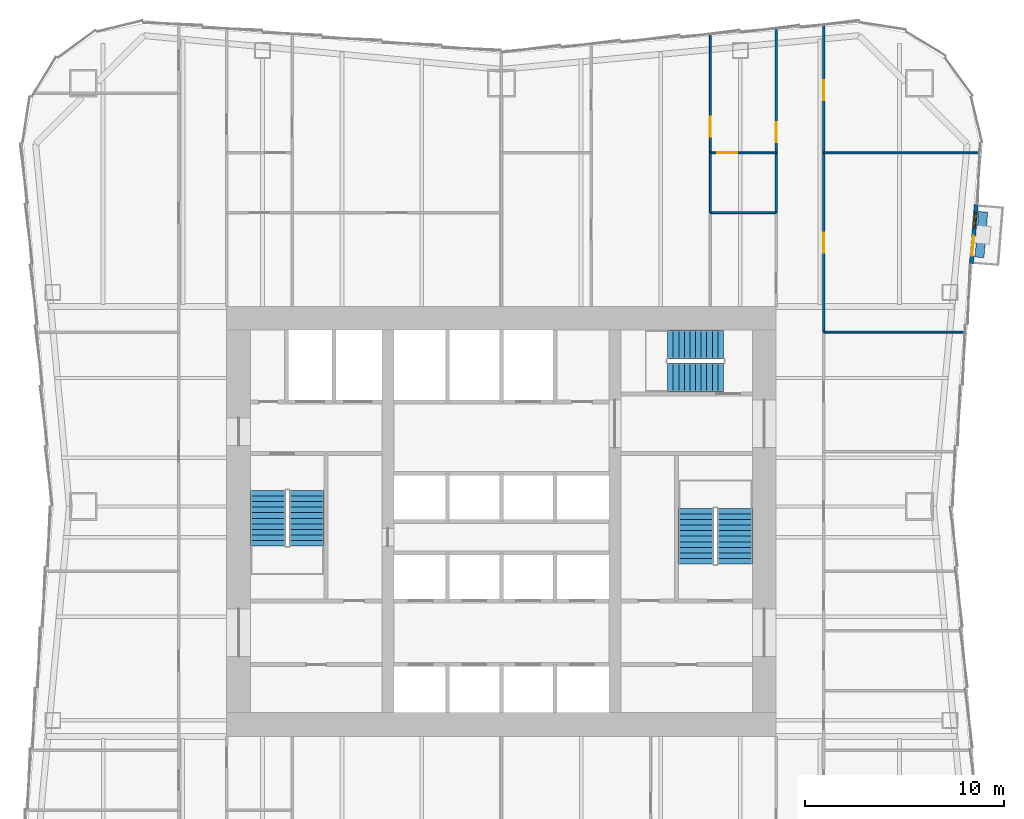
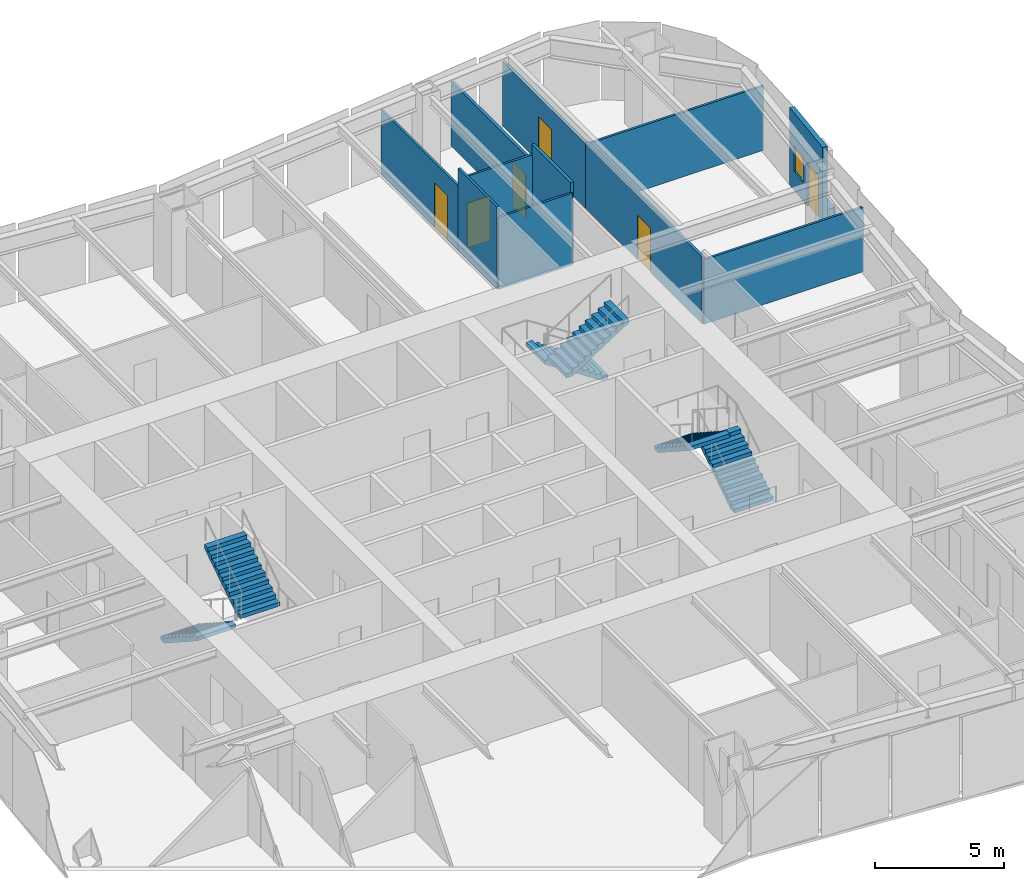
# One storey, part 7 of 9: 12 walls, 6 doors, 6 stair flights, 1 window, 7 openings, 3 elements without a shape of their own.
"""IFC4 building model written with IfcOpenShell, lengths in metres."""

from ifc_helpers import new_model, si_unit, direction, frame, frame_2d, origin, place, context, subcontext, project, spatial, polyline, rectangle, outline, extrude, material, layer, layer_set, type_object, element, fill, aggregate, save


model = new_model("IFC4")

# Units and contexts
model_context = context("Model", 3, precision=1e-05, world=origin(), true_north=direction((0.0, 1.0)))
body_context = subcontext(model_context, "Body", "Model", "MODEL_VIEW")
ifc_project = project(units=[si_unit("LENGTHUNIT", "METRE"), si_unit("AREAUNIT", "SQUARE_METRE"), si_unit("VOLUMEUNIT", "CUBIC_METRE"), si_unit("PLANEANGLEUNIT", "RADIAN"), si_unit("MASSUNIT", "GRAM", prefix="KILO")], contexts=[model_context])

# Site, building, storey
site_placement = place(None, origin())
site = spatial("IfcSite", under=ifc_project, at=site_placement, CompositionType="ELEMENT")
building_placement = place(site_placement, origin())
building = spatial("IfcBuilding", under=site, at=building_placement, Name="Verdant Reach Tower", CompositionType="ELEMENT")
storey_placement = place(building_placement, frame((0.0, 0.0, 86.0)))
storey = spatial("IfcBuildingStorey", under=building, at=storey_placement, Name="L19", CompositionType="ELEMENT", Elevation=86.0)

# Wall, openings, door, window
ifc_material_1 = material(Name="Insulated bronze aluminium panel wall", Category="aluminium")
ifc_layer_1 = layer(ifc_material_1, 0.219970703125)
ifc_layer_set_1 = layer_set([ifc_layer_1], Name="EN-INFILL WALL")
wall_type_1 = type_object("IfcWallType", Name="EN-INFILL WALL", PredefinedType="SOLIDWALL", material=ifc_layer_set_1)
wall_1_placement = place(storey_placement, frame((23.605224609375, 40.939208984375, 0.0), z_axis=(0.0, 0.0, 1.0), x_axis=(0.081903334605, 0.996640278024, 0.0)))
wall_1 = element("IfcWall", 1, at=wall_1_placement, inside=storey, type_object=wall_type_1, Name="External infill wall, balcony bay 1, L19", PredefinedType="SOLIDWALL", context=body_context, shape_type="SweptSolid", body=[
    extrude(rectangle(XDim=2.98974609375, YDim=0.2060546875, at=frame_2d((1.494873046875, 0.0))), origin(), (0.0, 0.0, 1.0), 3.64990234375),
])
opening_1_placement = place(wall_1_placement, frame((0.396484375, 0.0, 0.0)))
opening_1 = element("IfcOpeningElement", 2, at=opening_1_placement, cuts=wall_1, Name="Opening BD1", PredefinedType="OPENING", context=body_context, shape_type="SweptSolid", body=[
    extrude(rectangle(XDim=1.0, YDim=2.10009765625, at=frame_2d((0.5, 1.050048828125))), frame((0.0, 0.113037109375, 0.0), z_axis=(0.0, -1.0, 0.0), x_axis=(1.0, 0.0, 0.0)), (0.0, 0.0, 1.0), 0.22607421875),
])
opening_2_placement = place(wall_1_placement, frame((1.793212890625, 0.0, 0.89990234375)))
opening_2 = element("IfcOpeningElement", 3, at=opening_2_placement, cuts=wall_1, Name="Opening BW1", PredefinedType="OPENING", context=body_context, shape_type="SweptSolid", body=[
    extrude(rectangle(XDim=0.800048828125, YDim=1.199951171875, at=frame_2d((0.39990234375, 0.60009765625))), frame((0.0, 0.113037109375, 0.0), z_axis=(0.0, -1.0, 0.0), x_axis=(1.0, 0.0, 0.0)), (0.0, 0.0, 1.0), 0.22607421875),
])
ifc_material_2 = material(Name="Aluminium framed glazed door", Category="aluminium")
door_type_1 = type_object("IfcDoorType", Name="EN-DOOR BALCONY", OperationType="NOTDEFINED", PredefinedType="DOOR", material=ifc_material_2)
door_1_placement = place(opening_1_placement, origin())
door_1 = element("IfcDoor", 4, at=door_1_placement, inside=storey, type_object=door_type_1, Name="Balcony door 1, L19", OperationType="SINGLE_SWING_LEFT", OverallHeight=2.10009765625, OverallWidth=1.0, PredefinedType="DOOR", context=body_context, shape_type="SweptSolid", body=[
    extrude(rectangle(XDim=1.0, YDim=2.10009765625, at=frame_2d((0.5, 1.050048828125))), frame((0.0, 0.02490234375, 0.0), z_axis=(0.0, -1.0, 0.0), x_axis=(1.0, 0.0, 0.0)), (0.0, 0.0, 1.0), 0.050048828125),
])
fill(opening_1, door_1)
ifc_material_3 = material(Name="Aluminium framed glazing", Category="aluminium")
window_type = type_object("IfcWindowType", Name="EN-WINDOW BALCONY", PartitioningType="SINGLE_PANEL", PredefinedType="WINDOW", material=ifc_material_3)
window_placement = place(opening_2_placement, origin())
window = element("IfcWindow", 5, at=window_placement, inside=storey, type_object=window_type, Name="Balcony window 1, L19", OverallHeight=1.199951171875, OverallWidth=0.800048828125, PartitioningType="SINGLE_PANEL", PredefinedType="WINDOW", context=body_context, shape_type="SweptSolid", body=[
    extrude(rectangle(XDim=0.800048828125, YDim=1.199951171875, at=frame_2d((0.39990234375, 0.60009765625))), frame((0.0, 0.030029296875, 0.0), z_axis=(0.0, -1.0, 0.0), x_axis=(1.0, 0.0, 0.0)), (0.0, 0.0, 1.0), 0.06005859375),
])
fill(opening_2, window)

# Walls
ifc_material_4 = material(Name="Precast concrete C30/37", Category="concrete")
ifc_layer_2 = layer(ifc_material_4, 0.449951171875)
ifc_layer_set_2 = layer_set([ifc_layer_2], Name="EN-PLANTER")
wall_type_2 = type_object("IfcWallType", Name="EN-PLANTER", PredefinedType="USERDEFINED", material=ifc_layer_set_2)
wall_2_placement = place(storey_placement, frame((24.010498046875, 41.257080078125, 0.0), z_axis=(0.0, 0.0, 1.0), x_axis=(0.081986639556, 0.996633428566, 0.0)))
element("IfcWall", 6, at=wall_2_placement, inside=storey, type_object=wall_type_2, Name="Balcony planter 1, L19", ObjectType="PLANTER", PredefinedType="USERDEFINED", context=body_context, shape_type="SweptSolid", body=[
    extrude(rectangle(XDim=2.2900390625, YDim=0.449951171875, at=frame_2d((1.14501953125, 0.0))), origin(), (0.0, 0.0, 1.0), 0.39990234375),
])
ifc_material_5 = material(Name="Gypsum board on steel studs", Category="steel")
ifc_layer_3 = layer(ifc_material_5, 0.10009765625)
ifc_layer_set_3 = layer_set([ifc_layer_3], Name="FL-W1 Partition 100")
wall_type_3 = type_object("IfcWallType", Name="FL-W1 Partition 100", PredefinedType="PARTITIONING", material=ifc_layer_set_3)
wall_3_placement = place(storey_placement, frame((23.29931640625, 37.5, 0.0), z_axis=(0.0, 0.0, 1.0), x_axis=(-1.0, 0.0, 0.0)))
element("IfcWall", 7, at=wall_3_placement, inside=storey, type_object=wall_type_3, Name="Partition 19.39", PredefinedType="PARTITIONING", context=body_context, shape_type="SweptSolid", body=[
    extrude(rectangle(XDim=7.099365234375, YDim=0.10009765625, at=frame_2d((3.5498046875, 0.0))), origin(), (0.0, 0.0, 1.0), 3.0400390625),
])
wall_4_placement = place(storey_placement, frame((24.038818359375, 46.5, 0.0), z_axis=(0.0, 0.0, 1.0), x_axis=(-1.0, 0.0, 0.0)))
element("IfcWall", 8, at=wall_4_placement, inside=storey, type_object=wall_type_3, Name="Partition 19.40", PredefinedType="PARTITIONING", context=body_context, shape_type="SweptSolid", body=[
    extrude(rectangle(XDim=7.8388671875, YDim=0.10009765625, at=frame_2d((3.91943359375, 0.0))), origin(), (0.0, 0.0, 1.0), 3.0400390625),
])
wall_5_placement = place(storey_placement, frame((13.800048828125, 43.5, 0.0), z_axis=(0.0, 0.0, 1.0), x_axis=(-1.0, 0.0, 0.0)))
element("IfcWall", 9, at=wall_5_placement, inside=storey, type_object=wall_type_3, Name="Partition 19.65", PredefinedType="PARTITIONING", context=body_context, shape_type="SweptSolid", body=[
    extrude(rectangle(XDim=3.300048828125, YDim=0.10009765625, at=frame_2d((1.64990234375, 0.0))), origin(), (0.0, 0.0, 1.0), 3.389892578125),
])

# Wall, opening, door
wall_6_placement = place(storey_placement, frame((13.800048828125, 46.5, 0.0), z_axis=(0.0, 0.0, 1.0), x_axis=(-1.0, 0.0, 0.0)))
wall_6 = element("IfcWall", 10, at=wall_6_placement, inside=storey, type_object=wall_type_3, Name="Partition 19.67", PredefinedType="PARTITIONING", context=body_context, shape_type="SweptSolid", body=[
    extrude(rectangle(XDim=3.300048828125, YDim=0.10009765625, at=frame_2d((1.64990234375, 0.0))), origin(), (0.0, 0.0, 1.0), 3.389892578125),
])
opening_3_placement = place(wall_6_placement, frame((1.949951171875, 0.0, 0.0)))
opening_3 = element("IfcOpeningElement", 11, at=opening_3_placement, cuts=wall_6, Name="Opening D3", PredefinedType="OPENING", context=body_context, shape_type="SweptSolid", body=[
    extrude(rectangle(XDim=1.0, YDim=2.10009765625, at=frame_2d((0.5, 1.050048828125))), frame((0.0, 0.06005859375, 0.0), z_axis=(0.0, -1.0, 0.0), x_axis=(1.0, 0.0, 0.0)), (0.0, 0.0, 1.0), 0.1201171875),
])
ifc_material_6 = material(Name="Painted timber door leaf", Category="wood")
door_type_2 = type_object("IfcDoorType", Name="FL-D3 Door 1000x2100", OperationType="NOTDEFINED", PredefinedType="DOOR", material=ifc_material_6)
door_2_placement = place(opening_3_placement, origin())
door_2 = element("IfcDoor", 12, at=door_2_placement, inside=storey, type_object=door_type_2, Name="Door 19-033", OperationType="SINGLE_SWING_RIGHT", OverallHeight=2.10009765625, OverallWidth=1.0, PredefinedType="DOOR", context=body_context, shape_type="SweptSolid", body=[
    extrude(rectangle(XDim=1.0, YDim=2.10009765625, at=frame_2d((0.5, 1.050048828125))), frame((0.0, 0.02490234375, 0.0), z_axis=(0.0, -1.0, 0.0), x_axis=(1.0, 0.0, 0.0)), (0.0, 0.0, 1.0), 0.050048828125),
])
fill(opening_3, door_2)

# Wall
wall_7_placement = place(storey_placement, frame((10.5, 46.50390625, 0.0), z_axis=(0.0, 0.0, 1.0), x_axis=(0.0, -1.0, 0.0)))
element("IfcWall", 13, at=wall_7_placement, inside=storey, type_object=wall_type_3, Name="Partition 19.68", PredefinedType="PARTITIONING", context=body_context, shape_type="SweptSolid", body=[
    extrude(rectangle(XDim=3.0078125, YDim=0.10009765625, at=frame_2d((1.50390625, 0.0))), origin(), (0.0, 0.0, 1.0), 3.8701171875),
])

# Wall, opening, door
wall_8_placement = place(storey_placement, frame((10.5, 46.49609375, 0.0), z_axis=(0.0, 0.0, 1.0), x_axis=(0.0, 1.0, 0.0)))
wall_8 = element("IfcWall", 14, at=wall_8_placement, inside=storey, type_object=wall_type_3, Name="Partition 19.69", PredefinedType="PARTITIONING", context=body_context, shape_type="SweptSolid", body=[
    extrude(rectangle(XDim=5.958984375, YDim=0.10009765625, at=frame_2d((2.9794921875, 0.0))), origin(), (0.0, 0.0, 1.0), 3.0400390625),
])
opening_4_placement = place(wall_8_placement, frame((0.814453125, 0.0, 0.0)))
opening_4 = element("IfcOpeningElement", 15, at=opening_4_placement, cuts=wall_8, Name="Opening D3", PredefinedType="OPENING", context=body_context, shape_type="SweptSolid", body=[
    extrude(rectangle(XDim=1.0, YDim=2.10009765625, at=frame_2d((0.5, 1.050048828125))), frame((0.0, 0.06005859375, 0.0), z_axis=(0.0, -1.0, 0.0), x_axis=(1.0, 0.0, 0.0)), (0.0, 0.0, 1.0), 0.1201171875),
])
door_3_placement = place(opening_4_placement, origin())
door_3 = element("IfcDoor", 16, at=door_3_placement, inside=storey, type_object=door_type_2, Name="Door 19-034", OperationType="SINGLE_SWING_LEFT", OverallHeight=2.10009765625, OverallWidth=1.0, PredefinedType="DOOR", context=body_context, shape_type="SweptSolid", body=[
    extrude(rectangle(XDim=1.0, YDim=2.10009765625, at=frame_2d((0.5, 1.050048828125))), frame((0.0, 0.02490234375, 0.0), z_axis=(0.0, -1.0, 0.0), x_axis=(1.0, 0.0, 0.0)), (0.0, 0.0, 1.0), 0.050048828125),
])
fill(opening_4, door_3)

ifc_material_7 = material(Name="Gypsum board on steel studs, fire rated", Category="steel")
ifc_layer_4 = layer(ifc_material_7, 0.125)
ifc_layer_set_4 = layer_set([ifc_layer_4], Name="FL-W2 Corridor wall 125")
wall_type_4 = type_object("IfcWallType", Name="FL-W2 Corridor wall 125", PredefinedType="PARTITIONING", material=ifc_layer_set_4)
wall_9_placement = place(storey_placement, frame((16.199951171875, 46.5, 0.0), z_axis=(0.0, 0.0, 1.0), x_axis=(0.0, -1.0, 0.0)))
wall_9 = element("IfcWall", 17, at=wall_9_placement, inside=storey, type_object=wall_type_4, Name="Partition 19.20", PredefinedType="PARTITIONING", context=body_context, shape_type="SweptSolid", body=[
    extrude(rectangle(XDim=9.0, YDim=0.125, at=frame_2d((4.5, 0.0))), origin(), (0.0, 0.0, 1.0), 3.139892578125),
])
opening_5_placement = place(wall_9_placement, frame((4.0, 0.0, 0.0)))
opening_5 = element("IfcOpeningElement", 18, at=opening_5_placement, cuts=wall_9, Name="Opening D2", PredefinedType="OPENING", context=body_context, shape_type="SweptSolid", body=[
    extrude(rectangle(XDim=1.0, YDim=2.10009765625, at=frame_2d((0.5, 1.050048828125))), frame((0.0, 0.072509765625, 0.0), z_axis=(0.0, -1.0, 0.0), x_axis=(1.0, 0.0, 0.0)), (0.0, 0.0, 1.0), 0.14501953125),
])
ifc_material_8 = material(Name="Timber door leaf, fire rated", Category="wood")
door_type_3 = type_object("IfcDoorType", Name="FL-D2 Entrance door 1000x2100 FD30", OperationType="NOTDEFINED", PredefinedType="DOOR", material=ifc_material_8)
door_4_placement = place(opening_5_placement, origin())
door_4 = element("IfcDoor", 19, at=door_4_placement, inside=storey, type_object=door_type_3, Name="Door 19-017", OperationType="SINGLE_SWING_LEFT", OverallHeight=2.10009765625, OverallWidth=1.0, PredefinedType="DOOR", context=body_context, shape_type="SweptSolid", body=[
    extrude(rectangle(XDim=1.0, YDim=2.10009765625, at=frame_2d((0.5, 1.050048828125))), frame((0.0, 0.02490234375, 0.0), z_axis=(0.0, -1.0, 0.0), x_axis=(1.0, 0.0, 0.0)), (0.0, 0.0, 1.0), 0.050048828125),
])
fill(opening_5, door_4)

wall_10_placement = place(storey_placement, frame((16.199951171875, 52.929931640625, 0.0), z_axis=(0.0, 0.0, 1.0), x_axis=(0.0, -1.0, 0.0)))
wall_10 = element("IfcWall", 20, at=wall_10_placement, inside=storey, type_object=wall_type_4, Name="Partition 19.21", PredefinedType="PARTITIONING", context=body_context, shape_type="SweptSolid", body=[
    extrude(rectangle(XDim=6.429931640625, YDim=0.125, at=frame_2d((3.21484375, 0.0))), origin(), (0.0, 0.0, 1.0), 3.0400390625),
])
opening_6_placement = place(wall_10_placement, frame((2.780029296875, 0.0, 0.0)))
opening_6 = element("IfcOpeningElement", 21, at=opening_6_placement, cuts=wall_10, Name="Opening D2", PredefinedType="OPENING", context=body_context, shape_type="SweptSolid", body=[
    extrude(rectangle(XDim=1.0, YDim=2.10009765625, at=frame_2d((0.5, 1.050048828125))), frame((0.0, 0.072509765625, 0.0), z_axis=(0.0, -1.0, 0.0), x_axis=(1.0, 0.0, 0.0)), (0.0, 0.0, 1.0), 0.14501953125),
])
door_5_placement = place(opening_6_placement, origin())
door_5 = element("IfcDoor", 22, at=door_5_placement, inside=storey, type_object=door_type_3, Name="Door 19-018", OperationType="SINGLE_SWING_RIGHT", OverallHeight=2.10009765625, OverallWidth=1.0, PredefinedType="DOOR", context=body_context, shape_type="SweptSolid", body=[
    extrude(rectangle(XDim=1.0, YDim=2.10009765625, at=frame_2d((0.5, 1.050048828125))), frame((0.0, 0.02490234375, 0.0), z_axis=(0.0, -1.0, 0.0), x_axis=(1.0, 0.0, 0.0)), (0.0, 0.0, 1.0), 0.050048828125),
])
fill(opening_6, door_5)

# Wall
wall_11_placement = place(storey_placement, frame((13.800048828125, 46.5, 0.0), z_axis=(0.0, 0.0, 1.0), x_axis=(0.0, -1.0, 0.0)))
element("IfcWall", 23, at=wall_11_placement, inside=storey, type_object=wall_type_4, Name="Partition 19.26", PredefinedType="PARTITIONING", context=body_context, shape_type="SweptSolid", body=[
    extrude(rectangle(XDim=3.0, YDim=0.125, at=frame_2d((1.5, 0.0))), origin(), (0.0, 0.0, 1.0), 3.8701171875),
])

# Wall, opening, door
wall_12_placement = place(storey_placement, frame((13.800048828125, 46.5, 0.0), z_axis=(0.0, 0.0, 1.0), x_axis=(0.0, 1.0, 0.0)))
wall_12 = element("IfcWall", 24, at=wall_12_placement, inside=storey, type_object=wall_type_4, Name="Partition 19.27", PredefinedType="PARTITIONING", context=body_context, shape_type="SweptSolid", body=[
    extrude(rectangle(XDim=6.22998046875, YDim=0.125, at=frame_2d((3.114990234375, 0.0))), origin(), (0.0, 0.0, 1.0), 3.0400390625),
])
opening_7_placement = place(wall_12_placement, frame((0.5498046875, 0.0, 0.0)))
opening_7 = element("IfcOpeningElement", 25, at=opening_7_placement, cuts=wall_12, Name="Opening D2", PredefinedType="OPENING", context=body_context, shape_type="SweptSolid", body=[
    extrude(rectangle(XDim=1.0, YDim=2.10009765625, at=frame_2d((0.5, 1.050048828125))), frame((0.0, 0.072509765625, 0.0), z_axis=(0.0, -1.0, 0.0), x_axis=(1.0, 0.0, 0.0)), (0.0, 0.0, 1.0), 0.14501953125),
])
door_6_placement = place(opening_7_placement, origin())
door_6 = element("IfcDoor", 26, at=door_6_placement, inside=storey, type_object=door_type_3, Name="Door 19-022", OperationType="SINGLE_SWING_LEFT", OverallHeight=2.10009765625, OverallWidth=1.0, PredefinedType="DOOR", context=body_context, shape_type="SweptSolid", body=[
    extrude(rectangle(XDim=1.0, YDim=2.10009765625, at=frame_2d((0.5, 1.050048828125))), frame((0.0, 0.02490234375, 0.0), z_axis=(0.0, -1.0, 0.0), x_axis=(1.0, 0.0, 0.0)), (0.0, 0.0, 1.0), 0.050048828125),
])
fill(opening_7, door_6)

# Stair, stair flights
ifc_material_9 = material(Name="Concrete C40/50", Category="concrete")
stair_type = type_object("IfcStairType", Name="CO-STAIR", PredefinedType="HALF_TURN_STAIR", material=ifc_material_9)
stair_1_placement = place(storey_placement, origin())
stair_1 = element("IfcStair", 27, at=stair_1_placement, inside=storey, type_object=stair_type, Name="L19 Exit stair 1", PredefinedType="HALF_TURN_STAIR")
stair_flight_type = type_object("IfcStairFlightType", Name="CO-STAIR-FLIGHT", PredefinedType="STRAIGHT", material=ifc_material_9)
stair_flight_1_placement = place(storey_placement, frame((-11.72509765625, 29.550048828125, 0.0), z_axis=(0.0, 0.0, 1.0), x_axis=(0.0, -1.0, 0.0)))
stair_flight_1 = element("IfcStairFlight", 28, at=stair_flight_1_placement, type_object=stair_flight_type, Name="ST-1 flight 1", NumberOfRisers=11, NumberOfTreads=10, PredefinedType="STRAIGHT", RiserHeight=0.181818182, TreadLength=0.28, context=body_context, shape_type="SweptSolid", body=[
    extrude(outline(polyline([(0.0, 0.0), (0.0, 0.181884765625), (0.280029296875, 0.181884765625), (0.280029296875, 0.363525390625), (0.56005859375, 0.363525390625), (0.56005859375, 0.54541015625), (0.840087890625, 0.54541015625), (0.840087890625, 0.727294921875), (1.1201171875, 0.727294921875), (1.1201171875, 0.9091796875), (1.39990234375, 0.9091796875), (1.39990234375, 1.0908203125), (1.679931640625, 1.0908203125), (1.679931640625, 1.272705078125), (1.9599609375, 1.272705078125), (1.9599609375, 1.45458984375), (2.239990234375, 1.45458984375), (2.239990234375, 1.636474609375), (2.52001953125, 1.636474609375), (2.52001953125, 1.818115234375), (2.800048828125, 1.818115234375), (2.800048828125, 2.0), (2.800048828125, 1.639404296875), (0.275146484375, 0.0), (0.0, 0.0)])), frame((0.0, 0.875, 0.0), z_axis=(0.0, -1.0, 0.0), x_axis=(1.0, 0.0, 0.0)), (0.0, 0.0, 1.0), 1.75),
])
stair_flight_2_placement = place(storey_placement, frame((-9.77490234375, 26.75, 2.0), z_axis=(0.0, 0.0, 1.0), x_axis=(0.0, 1.0, 0.0)))
stair_flight_2 = element("IfcStairFlight", 29, at=stair_flight_2_placement, type_object=stair_flight_type, Name="ST-1 flight 2", NumberOfRisers=11, NumberOfTreads=10, PredefinedType="STRAIGHT", RiserHeight=0.181818182, TreadLength=0.28, context=body_context, shape_type="SweptSolid", body=[
    extrude(outline(polyline([(0.0, 0.0), (0.0, 0.181884765625), (0.280029296875, 0.181884765625), (0.280029296875, 0.363525390625), (0.56005859375, 0.363525390625), (0.56005859375, 0.54541015625), (0.840087890625, 0.54541015625), (0.840087890625, 0.727294921875), (1.1201171875, 0.727294921875), (1.1201171875, 0.9091796875), (1.39990234375, 0.9091796875), (1.39990234375, 1.0908203125), (1.679931640625, 1.0908203125), (1.679931640625, 1.272705078125), (1.9599609375, 1.272705078125), (1.9599609375, 1.45458984375), (2.239990234375, 1.45458984375), (2.239990234375, 1.636474609375), (2.52001953125, 1.636474609375), (2.52001953125, 1.818115234375), (2.800048828125, 1.818115234375), (2.800048828125, 2.0), (2.800048828125, 1.639404296875), (0.275146484375, 0.0), (0.0, 0.0)])), frame((0.0, 0.875, 0.0), z_axis=(0.0, -1.0, 0.0), x_axis=(1.0, 0.0, 0.0)), (0.0, 0.0, 1.0), 1.75),
])
aggregate(stair_1, [stair_flight_1, stair_flight_2])

stair_2_placement = place(storey_placement, origin())
stair_2 = element("IfcStair", 30, at=stair_2_placement, inside=storey, type_object=stair_type, Name="L19 Exit stair 2", PredefinedType="HALF_TURN_STAIR")
stair_flight_3_placement = place(storey_placement, frame((11.72509765625, 25.85009765625, 0.0), z_axis=(0.0, 0.0, 1.0), x_axis=(0.0, 1.0, 0.0)))
stair_flight_3 = element("IfcStairFlight", 31, at=stair_flight_3_placement, type_object=stair_flight_type, Name="ST-2 flight 1", NumberOfRisers=11, NumberOfTreads=10, PredefinedType="STRAIGHT", RiserHeight=0.181818182, TreadLength=0.28, context=body_context, shape_type="SweptSolid", body=[
    extrude(outline(polyline([(0.0, 0.0), (0.0, 0.181884765625), (0.280029296875, 0.181884765625), (0.280029296875, 0.363525390625), (0.56005859375, 0.363525390625), (0.56005859375, 0.54541015625), (0.840087890625, 0.54541015625), (0.840087890625, 0.727294921875), (1.1201171875, 0.727294921875), (1.1201171875, 0.9091796875), (1.39990234375, 0.9091796875), (1.39990234375, 1.0908203125), (1.679931640625, 1.0908203125), (1.679931640625, 1.272705078125), (1.9599609375, 1.272705078125), (1.9599609375, 1.45458984375), (2.239990234375, 1.45458984375), (2.239990234375, 1.636474609375), (2.52001953125, 1.636474609375), (2.52001953125, 1.818115234375), (2.800048828125, 1.818115234375), (2.800048828125, 2.0), (2.800048828125, 1.639404296875), (0.275146484375, 0.0), (0.0, 0.0)])), frame((0.0, 0.875, 0.0), z_axis=(0.0, -1.0, 0.0), x_axis=(1.0, 0.0, 0.0)), (0.0, 0.0, 1.0), 1.75),
])
stair_flight_4_placement = place(storey_placement, frame((9.77490234375, 28.64990234375, 2.0), z_axis=(0.0, 0.0, 1.0), x_axis=(0.0, -1.0, 0.0)))
stair_flight_4 = element("IfcStairFlight", 32, at=stair_flight_4_placement, type_object=stair_flight_type, Name="ST-2 flight 2", NumberOfRisers=11, NumberOfTreads=10, PredefinedType="STRAIGHT", RiserHeight=0.181818182, TreadLength=0.28, context=body_context, shape_type="SweptSolid", body=[
    extrude(outline(polyline([(0.0, 0.0), (0.0, 0.181884765625), (0.280029296875, 0.181884765625), (0.280029296875, 0.363525390625), (0.56005859375, 0.363525390625), (0.56005859375, 0.54541015625), (0.840087890625, 0.54541015625), (0.840087890625, 0.727294921875), (1.1201171875, 0.727294921875), (1.1201171875, 0.9091796875), (1.39990234375, 0.9091796875), (1.39990234375, 1.0908203125), (1.679931640625, 1.0908203125), (1.679931640625, 1.272705078125), (1.9599609375, 1.272705078125), (1.9599609375, 1.45458984375), (2.239990234375, 1.45458984375), (2.239990234375, 1.636474609375), (2.52001953125, 1.636474609375), (2.52001953125, 1.818115234375), (2.800048828125, 1.818115234375), (2.800048828125, 2.0), (2.800048828125, 1.639404296875), (0.275146484375, 0.0), (0.0, 0.0)])), frame((0.0, 0.875, 0.0), z_axis=(0.0, -1.0, 0.0), x_axis=(1.0, 0.0, 0.0)), (0.0, 0.0, 1.0), 1.75),
])
aggregate(stair_2, [stair_flight_3, stair_flight_4])

stair_3_placement = place(storey_placement, origin())
stair_3 = element("IfcStair", 33, at=stair_3_placement, inside=storey, type_object=stair_type, Name="L19 Exit stair 3", PredefinedType="HALF_TURN_STAIR")
stair_flight_5_placement = place(storey_placement, frame((11.14990234375, 36.875, 0.0), z_axis=(0.0, 0.0, 1.0), x_axis=(-1.0, 0.0, 0.0)))
stair_flight_5 = element("IfcStairFlight", 34, at=stair_flight_5_placement, type_object=stair_flight_type, Name="ST-3 flight 1", NumberOfRisers=11, NumberOfTreads=10, PredefinedType="STRAIGHT", RiserHeight=0.181818182, TreadLength=0.28, context=body_context, shape_type="SweptSolid", body=[
    extrude(outline(polyline([(0.0, 0.0), (0.0, 0.181884765625), (0.280029296875, 0.181884765625), (0.280029296875, 0.363525390625), (0.56005859375, 0.363525390625), (0.56005859375, 0.54541015625), (0.840087890625, 0.54541015625), (0.840087890625, 0.727294921875), (1.1201171875, 0.727294921875), (1.1201171875, 0.9091796875), (1.39990234375, 0.9091796875), (1.39990234375, 1.0908203125), (1.679931640625, 1.0908203125), (1.679931640625, 1.272705078125), (1.9599609375, 1.272705078125), (1.9599609375, 1.45458984375), (2.239990234375, 1.45458984375), (2.239990234375, 1.636474609375), (2.52001953125, 1.636474609375), (2.52001953125, 1.818115234375), (2.800048828125, 1.818115234375), (2.800048828125, 2.0), (2.800048828125, 1.639404296875), (0.275146484375, 0.0), (0.0, 0.0)])), frame((0.0, 0.72509765625, 0.0), z_axis=(0.0, -1.0, 0.0), x_axis=(1.0, 0.0, 0.0)), (0.0, 0.0, 1.0), 1.449951171875),
])
stair_flight_6_placement = place(storey_placement, frame((8.35009765625, 35.22509765625, 2.0), z_axis=(0.0, 0.0, 1.0), x_axis=(1.0, 0.0, 0.0)))
stair_flight_6 = element("IfcStairFlight", 35, at=stair_flight_6_placement, type_object=stair_flight_type, Name="ST-3 flight 2", NumberOfRisers=11, NumberOfTreads=10, PredefinedType="STRAIGHT", RiserHeight=0.181818182, TreadLength=0.28, context=body_context, shape_type="SweptSolid", body=[
    extrude(outline(polyline([(0.0, 0.0), (0.0, 0.181884765625), (0.280029296875, 0.181884765625), (0.280029296875, 0.363525390625), (0.56005859375, 0.363525390625), (0.56005859375, 0.54541015625), (0.840087890625, 0.54541015625), (0.840087890625, 0.727294921875), (1.1201171875, 0.727294921875), (1.1201171875, 0.9091796875), (1.39990234375, 0.9091796875), (1.39990234375, 1.0908203125), (1.679931640625, 1.0908203125), (1.679931640625, 1.272705078125), (1.9599609375, 1.272705078125), (1.9599609375, 1.45458984375), (2.239990234375, 1.45458984375), (2.239990234375, 1.636474609375), (2.52001953125, 1.636474609375), (2.52001953125, 1.818115234375), (2.800048828125, 1.818115234375), (2.800048828125, 2.0), (2.800048828125, 1.639404296875), (0.275146484375, 0.0), (0.0, 0.0)])), frame((0.0, 0.72509765625, 0.0), z_axis=(0.0, -1.0, 0.0), x_axis=(1.0, 0.0, 0.0)), (0.0, 0.0, 1.0), 1.449951171875),
])
aggregate(stair_3, [stair_flight_5, stair_flight_6])

save(model, "model.ifc")
